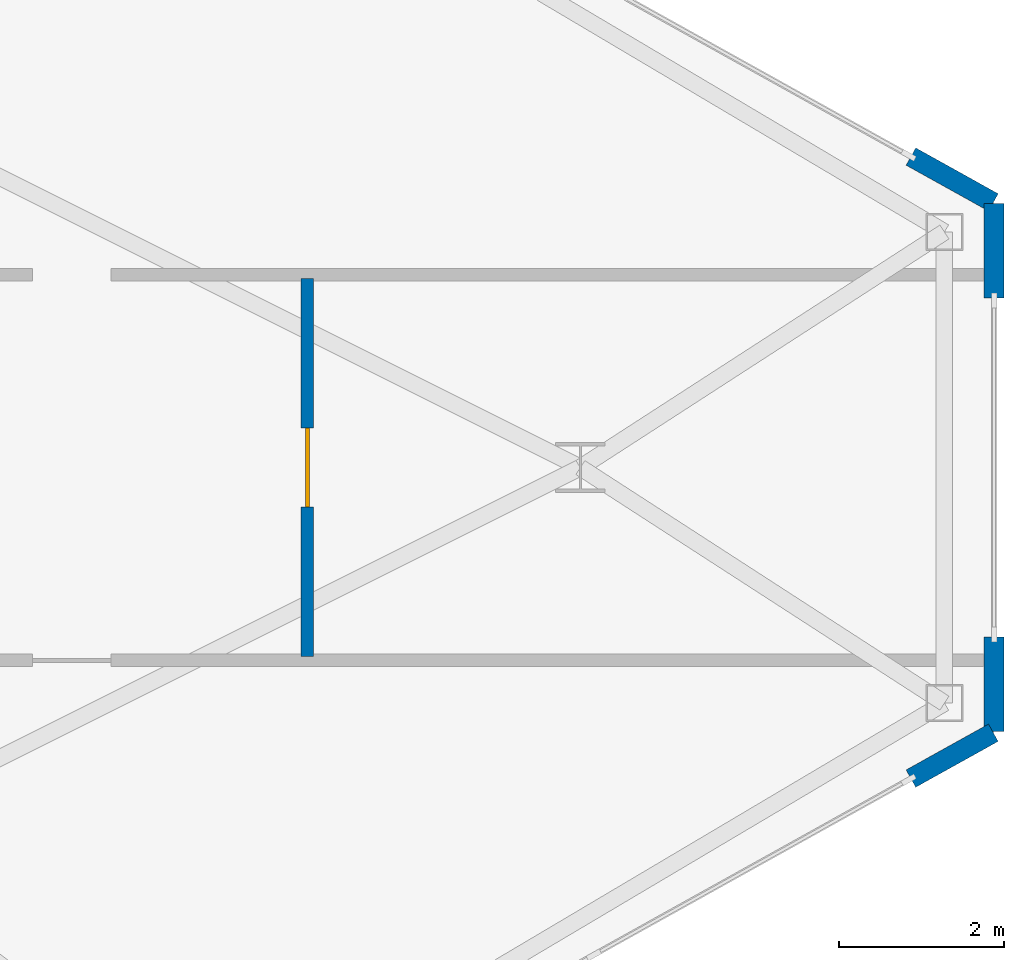
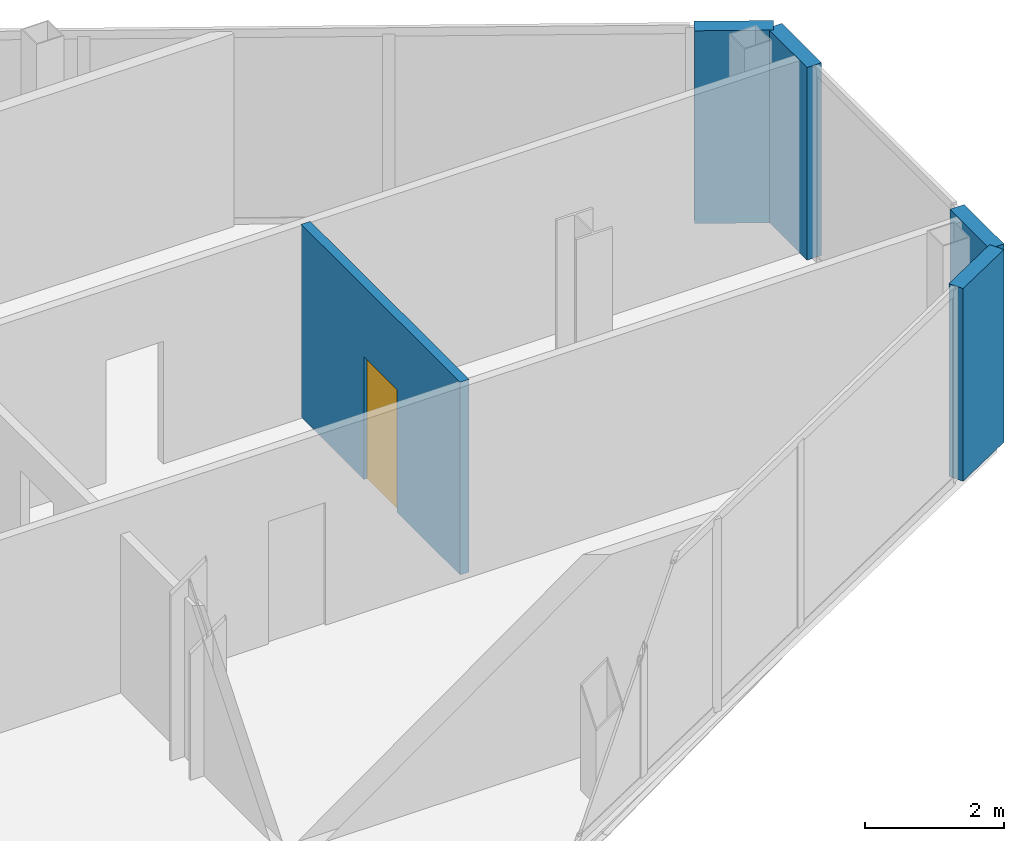
# One storey, part 23 of 26: 5 walls, 1 door, 1 opening.
"""IFC4 building model written with IfcOpenShell, lengths in metres."""

from ifc_helpers import new_model, si_unit, direction, frame, frame_2d, origin, place, context, subcontext, project, spatial, rectangle, extrude, source, transform, mapped, material, layer, layer_set, type_object, type_shapes, element, fill, save


model = new_model("IFC4")

# Units and contexts
model_context = context("Model", 3, precision=1e-05, world=origin(), true_north=direction((0.0, 1.0)))
body_context = subcontext(model_context, "Body", "Model", "MODEL_VIEW")
ifc_project = project(units=[si_unit("LENGTHUNIT", "METRE"), si_unit("AREAUNIT", "SQUARE_METRE"), si_unit("VOLUMEUNIT", "CUBIC_METRE"), si_unit("PLANEANGLEUNIT", "RADIAN"), si_unit("MASSUNIT", "GRAM", prefix="KILO")], contexts=[model_context])

# Site, building, storey
site_placement = place(None, origin())
site = spatial("IfcSite", under=ifc_project, at=site_placement, CompositionType="ELEMENT")
building_placement = place(site_placement, origin())
building = spatial("IfcBuilding", under=site, at=building_placement, Name="Seokmaru Belvedere", CompositionType="ELEMENT")
storey_placement = place(building_placement, frame((0.0, 0.0, 174.300048828125)))
storey = spatial("IfcBuildingStorey", under=building, at=storey_placement, Name="L46", CompositionType="ELEMENT", Elevation=174.300048828125)

# Wall, opening, door
ifc_material_1 = material(Name="Fire-Rated Gypsum Shaftwall")
ifc_layer_1 = layer(ifc_material_1, 0.14990234375)
ifc_layer_set_1 = layer_set([ifc_layer_1], Name="Fire-Rated Gypsum Shaftwall")
wall_type_1 = type_object("IfcWallType", Name="Apartment Fire-Acoustic Room Partition 150", PredefinedType="PARTITIONING", material=ifc_layer_set_1)
wall_placement = place(storey_placement, frame((60.199951171875, -2.282958984375, 0.0), z_axis=(0.0, 0.0, 1.0), x_axis=(0.0, 1.0, 0.0)))
wall = element("IfcWall", 1, at=wall_placement, inside=storey, type_object=wall_type_1, Name="L46 Interior Partition 032", PredefinedType="PARTITIONING", context=body_context, shape_type="SweptSolid", body=[
    extrude(rectangle(XDim=4.56591796875, YDim=0.14990234375, at=frame_2d((2.282958984375, 0.0))), origin(), (0.0, 0.0, 1.0), 3.3798828125),
])
opening_placement = place(wall_placement, frame((1.80810546875, 0.0, 0.0)))
opening = element("IfcOpeningElement", 2, at=opening_placement, cuts=wall, Name="Opening D05", PredefinedType="OPENING", context=body_context, shape_type="SweptSolid", body=[
    extrude(rectangle(XDim=0.949951171875, YDim=2.14990234375, at=frame_2d((0.47509765625, 1.074951171875))), frame((0.0, 0.0849609375, 0.0), z_axis=(0.0, -1.0, 0.0), x_axis=(1.0, 0.0, 0.0)), (0.0, 0.0, 1.0), 0.169921875),
])
ifc_material_2 = material(Name="Engineered White Oak Timber", Category="wood")
door_type = type_object("IfcDoorType", Name="Apartment Interior Fire-Rated Oak Door 950x2150", OperationType="NOTDEFINED", PredefinedType="DOOR", material=ifc_material_2)
shared_shape = source(origin(), body_context, "Body", "SweptSolid", [
    extrude(rectangle(XDim=0.949951171875, YDim=2.14990234375, at=frame_2d((0.47509765625, 1.074951171875))), frame((0.0, 0.02490234375, 0.0), z_axis=(0.0, -1.0, 0.0), x_axis=(1.0, 0.0, 0.0)), (0.0, 0.0, 1.0), 0.050048828125),
])
type_shapes(door_type, [shared_shape])
door_placement = place(opening_placement, origin())
door = element("IfcDoor", 3, at=door_placement, inside=storey, type_object=door_type, Name="L46 Interior Door 030", OperationType="SINGLE_SWING_LEFT", OverallHeight=2.14990234375, OverallWidth=0.949951171875, PredefinedType="DOOR", context=body_context, shape_type="MappedRepresentation", body=[
    mapped(shared_shape, transform((0.0, 0.0, 0.0), scale=1.0)),
])
fill(opening, door)

# Walls
ifc_material_3 = material(Name="Anodised Bronze Aluminium", Category="aluminium")
ifc_layer_2 = layer(ifc_material_3, 0.239990234375)
ifc_layer_set_2 = layer_set([ifc_layer_2], Name="Anodised Bronze Aluminium")
wall_type_2 = type_object("IfcWallType", Name="Tower Corner Spandrel Closure Wall 240", PredefinedType="SOLIDWALL", material=ifc_layer_set_2)
for number, where, z_axis, x_axis, name in (
    (4, (67.4951171875, -3.759033203125, 0.0), (0.0, 0.0, 1.0), (0.87385402111, 0.486188389196, 0.0), "L46 E Corner Closure Pier 1B"),
    (5, (68.5, -3.18994140625, 0.0), (0.0, 0.0, 1.0), (0.0, 1.0, 0.0), "L46 E Corner Closure Pier 2A"),
    (6, (68.5, 2.050048828125, 0.0), (0.0, 0.0, 1.0), (0.0, 1.0, 0.0), "L46 E Corner Closure Pier 2B"),
    (7, (68.4912109375, 3.204833984375, 0.0), (0.0, 0.0, 1.0), (-0.87385402111, 0.486188389196, 0.0), "L46 E Corner Closure Pier 3A"),
):
    element("IfcWall", number, at=place(storey_placement, frame(where, z_axis=z_axis, x_axis=x_axis)), inside=storey, type_object=wall_type_2, Name=name, PredefinedType="SOLIDWALL", context=body_context, shape_type="SweptSolid", body=[
        extrude(rectangle(XDim=1.139892578125, YDim=0.239990234375, at=frame_2d((0.56982421875, 0.0))), origin(), (0.0, 0.0, 1.0), 3.3798828125),
    ])

save(model, "model.ifc")
